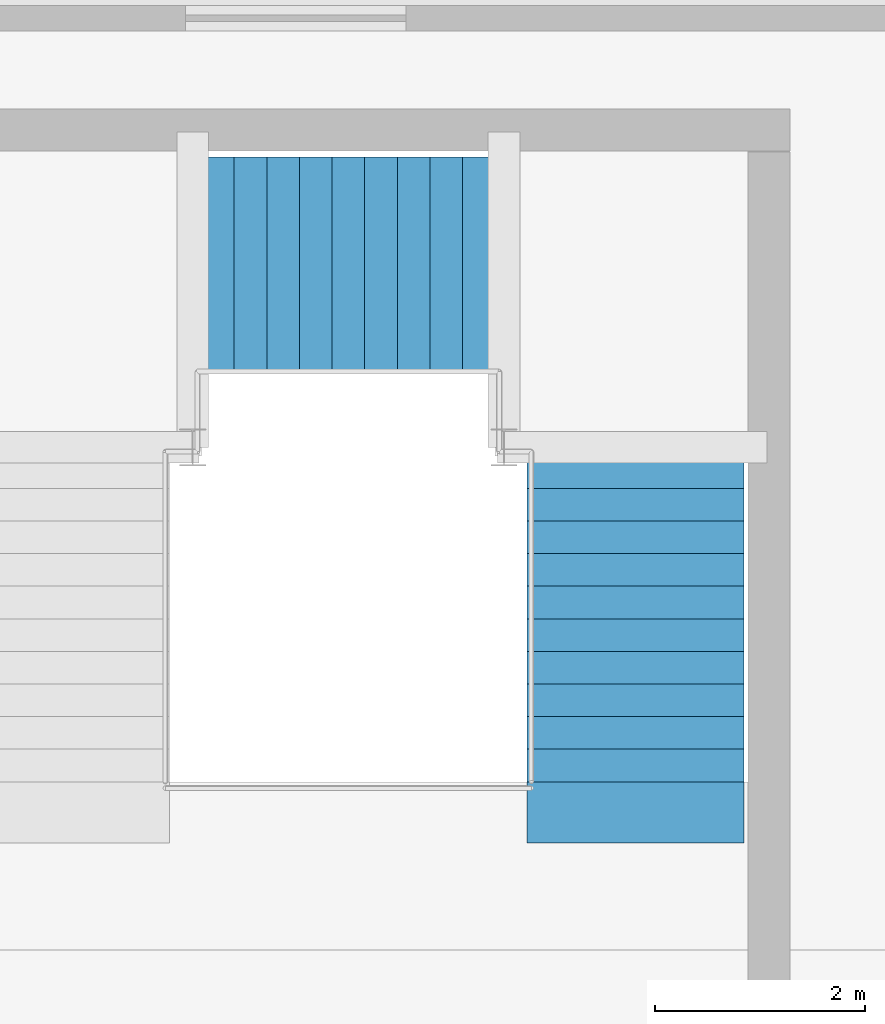
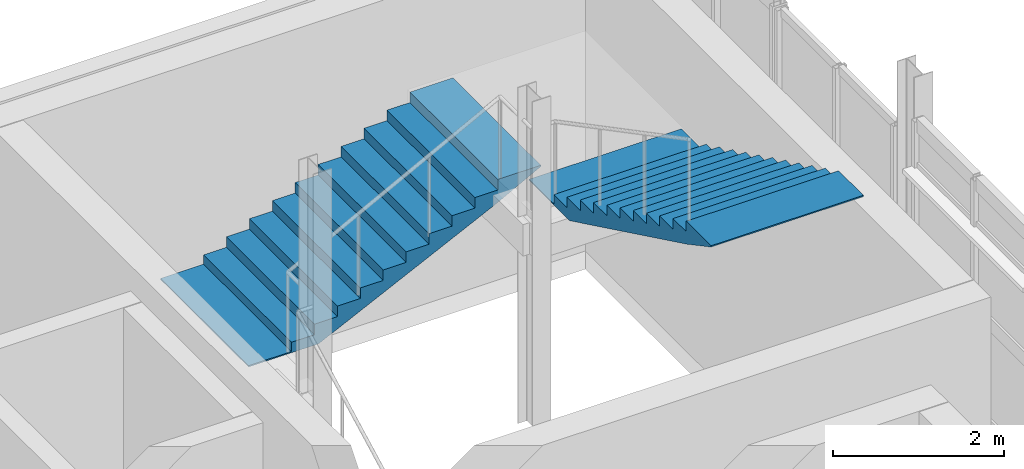
# One storey, part 94 of 100: 2 stair flights, 1 element without a shape of its own.
"""IFC4 building model written with IfcOpenShell, lengths in metres."""

from ifc_helpers import new_model, si_unit, derived_unit, direction, frame, origin, place, context, subcontext, project, spatial, polyline, outline, extrude, material, type_object, element, aggregate, save


model = new_model("IFC4")

# Units and contexts
model_context = context("Model", 3, precision=1e-05, world=origin(), true_north=direction((0.0, 1.0)))
body_context = subcontext(model_context, "Body", "Model", "MODEL_VIEW")
ifc_project = project(units=[si_unit("LENGTHUNIT", "METRE"), si_unit("AREAUNIT", "SQUARE_METRE"), si_unit("VOLUMEUNIT", "CUBIC_METRE"), si_unit("PLANEANGLEUNIT", "RADIAN"), si_unit("MASSUNIT", "GRAM", prefix="KILO"), derived_unit("THERMALTRANSMITTANCEUNIT", [(si_unit("POWERUNIT", "WATT"), 1), (si_unit("LENGTHUNIT", "METRE"), -2), (si_unit("THERMODYNAMICTEMPERATUREUNIT", "KELVIN"), -1)])], contexts=[model_context])

# Site, building, storey
site_placement = place(None, origin())
site = spatial("IfcSite", under=ifc_project, at=site_placement, CompositionType="ELEMENT")
building_placement = place(site_placement, origin())
building = spatial("IfcBuilding", under=site, at=building_placement, Name="Nallur Shell Playhouse", CompositionType="ELEMENT")
storey_placement = place(building_placement, frame((0.0, 0.0, 10.199951171875)))
storey = spatial("IfcBuildingStorey", under=building, at=storey_placement, Name="L03", CompositionType="ELEMENT", Elevation=10.199951171875)

# Stair, stair flights
ifc_material = material(Name="Concrete M35", Category="concrete")
stair_type = type_object("IfcStairType", Name="ST-CORE-48", PredefinedType="QUARTER_TURN_STAIR", material=ifc_material)
stair_placement = place(storey_placement, origin())
stair = element("IfcStair", 1, at=stair_placement, inside=storey, type_object=stair_type, Name="Core JC-5 exit stair ST-05-L03 (L03 to L04)", PredefinedType="QUARTER_TURN_STAIR")
stair_flight_type = type_object("IfcStairFlightType", Name="ST-FLIGHT-212", PredefinedType="STRAIGHT", material=ifc_material)
stair_flight_1_placement = place(storey_placement, frame((152.804931640625, 53.510009765625, 1.650146484375), z_axis=(0.0, 0.0, 1.0), x_axis=(1.0, 0.0, 0.0)))
stair_flight_1 = element("IfcStairFlight", 2, at=stair_flight_1_placement, type_object=stair_flight_type, Name="ST-48 flight 2", NumberOfRisers=10, NumberOfTreads=9, PredefinedType="STRAIGHT", RiserHeight=0.15, TreadLength=0.31, context=body_context, shape_type="SweptSolid", body=[
    extrude(outline(polyline([(-0.580078125, 0.0), (-0.580078125, 0.01806640625), (0.0, 0.01806640625), (0.0, 0.14990234375), (0.31005859375, 0.14990234375), (0.31005859375, 0.300048828125), (0.6201171875, 0.300048828125), (0.6201171875, 0.449951171875), (0.929931640625, 0.449951171875), (0.929931640625, 0.60009765625), (1.239990234375, 0.60009765625), (1.239990234375, 0.75), (1.550048828125, 0.75), (1.550048828125, 0.89990234375), (1.860107421875, 0.89990234375), (1.860107421875, 1.050048828125), (2.169921875, 1.050048828125), (2.169921875, 1.199951171875), (2.47998046875, 1.199951171875), (2.47998046875, 1.35009765625), (2.7900390625, 1.35009765625), (2.7900390625, 1.5), (3.3701171875, 1.5), (3.3701171875, 1.48193359375), (2.7900390625, 1.17236328125), (0.3671875, 0.0), (-0.580078125, 0.0)])), frame((0.0, 1.030029296875, 0.0), z_axis=(0.0, -1.0, 0.0), x_axis=(1.0, 0.0, 0.0)), (0.0, 0.0, 1.0), 2.06005859375),
])
stair_flight_2_placement = place(storey_placement, frame((156.929931640625, 51.699951171875, 3.150146484375), z_axis=(0.0, 0.0, 1.0), x_axis=(0.0, -1.0, 0.0)))
stair_flight_2 = element("IfcStairFlight", 3, at=stair_flight_2_placement, type_object=stair_flight_type, Name="ST-48 flight 3", NumberOfRisers=11, NumberOfTreads=10, PredefinedType="STRAIGHT", RiserHeight=0.15, TreadLength=0.31, context=body_context, shape_type="SweptSolid", body=[
    extrude(outline(polyline([(-0.580078125, 0.0), (-0.580078125, 0.01806640625), (0.0, 0.01806640625), (0.0, 0.14990234375), (0.31005859375, 0.14990234375), (0.31005859375, 0.300048828125), (0.6201171875, 0.300048828125), (0.6201171875, 0.449951171875), (0.929931640625, 0.449951171875), (0.929931640625, 0.60009765625), (1.239990234375, 0.60009765625), (1.239990234375, 0.75), (1.550048828125, 0.75), (1.550048828125, 0.89990234375), (1.860107421875, 0.89990234375), (1.860107421875, 1.050048828125), (2.169921875, 1.050048828125), (2.169921875, 1.199951171875), (2.47998046875, 1.199951171875), (2.47998046875, 1.35009765625), (2.7900390625, 1.35009765625), (2.7900390625, 1.5), (3.10009765625, 1.5), (3.10009765625, 1.64990234375), (3.68017578125, 1.64990234375), (3.68017578125, 1.6318359375), (3.10009765625, 1.322265625), (0.3671875, 0.0), (-0.580078125, 0.0)])), frame((0.0, 1.030029296875, 0.0), z_axis=(0.0, -1.0, 0.0), x_axis=(1.0, 0.0, 0.0)), (0.0, 0.0, 1.0), 2.06005859375),
])
aggregate(stair, [stair_flight_1, stair_flight_2])

save(model, "model.ifc")
